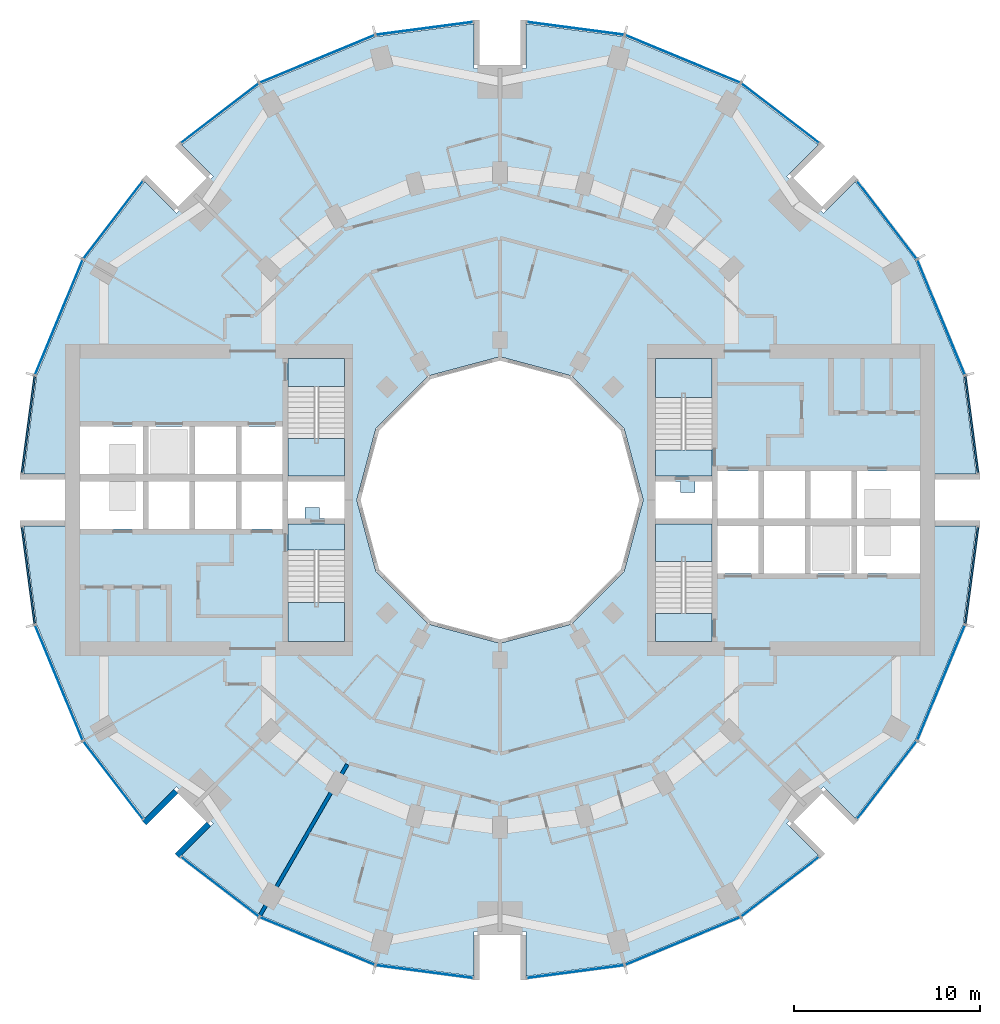
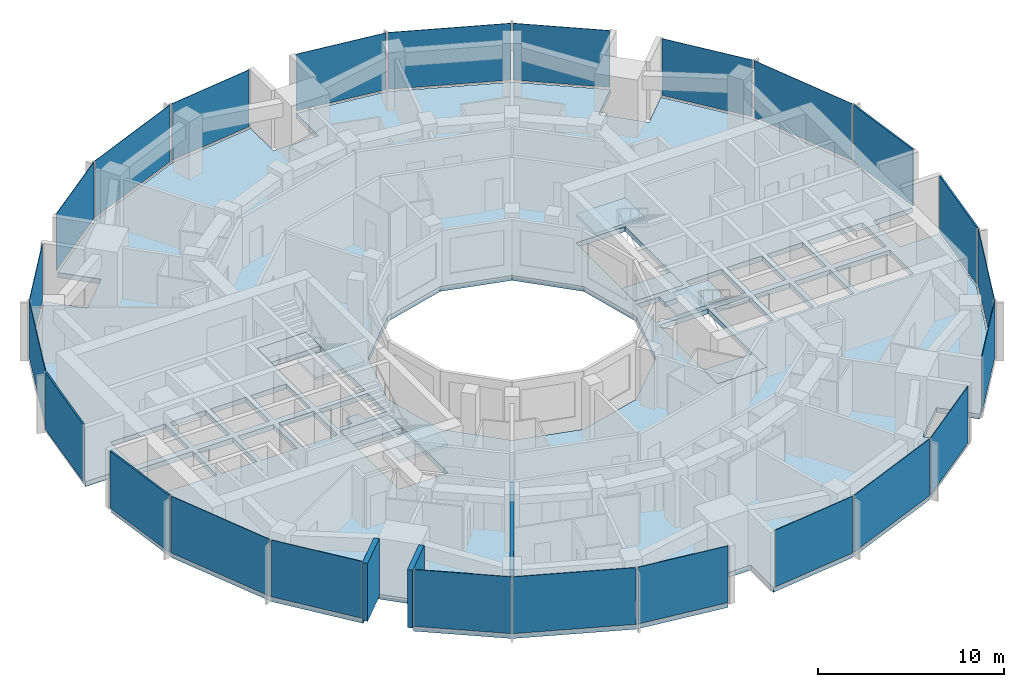
# One storey, part 7 of 15: 24 plates, 9 slabs, 3 walls, 28 elements without a shape of their own.
"""IFC4 building model written with IfcOpenShell, lengths in metres."""

from ifc_helpers import new_model, si_unit, direction, frame, frame_2d, origin, origin_2d, place, context, subcontext, project, spatial, polyline, rectangle, outline, extrude, material, layer, layer_set, type_object, element, aggregate, save


model = new_model("IFC4")

# Units and contexts
model_context = context("Model", 3, precision=1e-05, world=origin(), true_north=direction((0.0, 1.0)))
body_context = subcontext(model_context, "Body", "Model", "MODEL_VIEW")
ifc_project = project(units=[si_unit("LENGTHUNIT", "METRE"), si_unit("AREAUNIT", "SQUARE_METRE"), si_unit("VOLUMEUNIT", "CUBIC_METRE"), si_unit("PLANEANGLEUNIT", "RADIAN"), si_unit("MASSUNIT", "GRAM", prefix="KILO")], contexts=[model_context])

# Site, building, storey
site_placement = place(None, origin())
site = spatial("IfcSite", under=ifc_project, at=site_placement, CompositionType="ELEMENT")
building_placement = place(site_placement, origin())
building = spatial("IfcBuilding", under=site, at=building_placement, Name="Torre Brocal", CompositionType="ELEMENT")
storey_placement = place(building_placement, frame((0.0, 0.0, 55.39990234375)))
storey = spatial("IfcBuildingStorey", under=building, at=storey_placement, Name="L12", CompositionType="ELEMENT", Elevation=55.39990234375)

# Curtain wall, plate
ifc_material_1 = material(Name="Aluminium and glass", Category="aluminium")
ifc_layer_1 = layer(ifc_material_1, 0.199951171875)
ifc_layer_set_1 = layer_set([ifc_layer_1], Name="Aluminium and glass")
curtain_wall_type_1 = type_object("IfcCurtainWallType", Name="CW-1 CURTAIN WALL 3800 HIGH", PredefinedType="NOTDEFINED", material=ifc_layer_set_1)
curtain_wall_1_placement = place(storey_placement, origin())
curtain_wall_1 = element("IfcCurtainWall", 1, at=curtain_wall_1_placement, inside=storey, type_object=curtain_wall_type_1, Name="CW-1 RUN 2", PredefinedType="NOTDEFINED")
ifc_material_2 = material(Name="Glass, dark tinted laminated", Category="glass")
ifc_layer_2 = layer(ifc_material_2, 0.031982421875)
ifc_layer_set_2 = layer_set([ifc_layer_2], Name="Glass, dark tinted laminated")
plate_type_1 = type_object("IfcPlateType", Name="CW-1 GLASS PANEL 32", PredefinedType="CURTAIN_PANEL", material=ifc_layer_set_2)
plate_1_placement = place(storey_placement, frame((103.722900390625, 84.826416015625, 0.080078125), z_axis=(0.0, 0.0, 1.0), x_axis=(-0.382683432333, 0.923879532525, 0.0)))
plate_1 = element("IfcPlate", 2, at=plate_1_placement, type_object=plate_type_1, Name="CW1-1 panel 1.1", PredefinedType="CURTAIN_PANEL", context=body_context, shape_type="SweptSolid", body=[
    extrude(rectangle(XDim=6.64111328125, YDim=0.031982421875, at=origin_2d()), origin(), (0.0, 0.0, 1.0), 3.719970703125),
])
aggregate(curtain_wall_1, [plate_1])

curtain_wall_2_placement = place(storey_placement, origin())
curtain_wall_2 = element("IfcCurtainWall", 3, at=curtain_wall_2_placement, inside=storey, type_object=curtain_wall_type_1, Name="CW-1 RUN 3", PredefinedType="NOTDEFINED")
plate_2_placement = place(storey_placement, frame((100.80126953125, 90.0712890625, 0.080078125), z_axis=(0.0, 0.0, 1.0), x_axis=(-0.60876142905, 0.793353340259, 0.0)))
plate_2 = element("IfcPlate", 4, at=plate_2_placement, type_object=plate_type_1, Name="CW1-1 panel 1.1", PredefinedType="CURTAIN_PANEL", context=body_context, shape_type="SweptSolid", body=[
    extrude(rectangle(XDim=5.22900390625, YDim=0.031982421875, at=origin_2d()), origin(), (0.0, 0.0, 1.0), 3.719970703125),
])
aggregate(curtain_wall_2, [plate_2])

curtain_wall_3_placement = place(storey_placement, origin())
curtain_wall_3 = element("IfcCurtainWall", 5, at=curtain_wall_3_placement, inside=storey, type_object=curtain_wall_type_1, Name="CW-1 RUN 4", PredefinedType="NOTDEFINED")
plate_3_placement = place(storey_placement, frame((95.0712890625, 95.80126953125, 0.080078125), z_axis=(0.0, 0.0, 1.0), x_axis=(-0.793353340259, 0.60876142905, 0.0)))
plate_3 = element("IfcPlate", 6, at=plate_3_placement, type_object=plate_type_1, Name="CW1-1 panel 1.1", PredefinedType="CURTAIN_PANEL", context=body_context, shape_type="SweptSolid", body=[
    extrude(rectangle(XDim=5.22900390625, YDim=0.031982421875, at=origin_2d()), origin(), (0.0, 0.0, 1.0), 3.719970703125),
])
aggregate(curtain_wall_3, [plate_3])

curtain_wall_4_placement = place(storey_placement, origin())
curtain_wall_4 = element("IfcCurtainWall", 7, at=curtain_wall_4_placement, inside=storey, type_object=curtain_wall_type_1, Name="CW-1 RUN 5", PredefinedType="NOTDEFINED")
plate_4_placement = place(storey_placement, frame((89.826416015625, 98.722900390625, 0.080078125), z_axis=(0.0, 0.0, 1.0), x_axis=(-0.923879532525, 0.382683432333, 0.0)))
plate_4 = element("IfcPlate", 8, at=plate_4_placement, type_object=plate_type_1, Name="CW1-1 panel 1.1", PredefinedType="CURTAIN_PANEL", context=body_context, shape_type="SweptSolid", body=[
    extrude(rectangle(XDim=6.64111328125, YDim=0.031982421875, at=origin_2d()), origin(), (0.0, 0.0, 1.0), 3.719970703125),
])
aggregate(curtain_wall_4, [plate_4])

curtain_wall_5_placement = place(storey_placement, origin())
curtain_wall_5 = element("IfcCurtainWall", 9, at=curtain_wall_5_placement, inside=storey, type_object=curtain_wall_type_1, Name="CW-1 RUN 6", PredefinedType="NOTDEFINED")
plate_5_placement = place(storey_placement, frame((84.051513671875, 100.36572265625, 0.080078125), z_axis=(0.0, 0.0, 1.0), x_axis=(-0.991444861374, 0.13052619222, 0.0)))
plate_5 = element("IfcPlate", 10, at=plate_5_placement, type_object=plate_type_1, Name="CW1-1 panel 1.1", PredefinedType="CURTAIN_PANEL", context=body_context, shape_type="SweptSolid", body=[
    extrude(rectangle(XDim=5.22900390625, YDim=0.031982421875, at=origin_2d()), origin(), (0.0, 0.0, 1.0), 3.719970703125),
])
aggregate(curtain_wall_5, [plate_5])

curtain_wall_6_placement = place(storey_placement, origin())
curtain_wall_6 = element("IfcCurtainWall", 11, at=curtain_wall_6_placement, inside=storey, type_object=curtain_wall_type_1, Name="CW-1 RUN 7", PredefinedType="NOTDEFINED")
plate_6_placement = place(storey_placement, frame((75.948486328125, 100.36572265625, 0.080078125), z_axis=(0.0, 0.0, 1.0), x_axis=(-0.991444861374, -0.13052619222, 0.0)))
plate_6 = element("IfcPlate", 12, at=plate_6_placement, type_object=plate_type_1, Name="CW1-1 panel 1.1", PredefinedType="CURTAIN_PANEL", context=body_context, shape_type="SweptSolid", body=[
    extrude(rectangle(XDim=5.22900390625, YDim=0.031982421875, at=origin_2d()), origin(), (0.0, 0.0, 1.0), 3.719970703125),
])
aggregate(curtain_wall_6, [plate_6])

curtain_wall_7_placement = place(storey_placement, origin())
curtain_wall_7 = element("IfcCurtainWall", 13, at=curtain_wall_7_placement, inside=storey, type_object=curtain_wall_type_1, Name="CW-1 RUN 8", PredefinedType="NOTDEFINED")
plate_7_placement = place(storey_placement, frame((70.173583984375, 98.722900390625, 0.080078125), z_axis=(0.0, 0.0, 1.0), x_axis=(-0.923879532525, -0.382683432333, 0.0)))
plate_7 = element("IfcPlate", 14, at=plate_7_placement, type_object=plate_type_1, Name="CW1-1 panel 1.1", PredefinedType="CURTAIN_PANEL", context=body_context, shape_type="SweptSolid", body=[
    extrude(rectangle(XDim=6.64111328125, YDim=0.031982421875, at=origin_2d()), origin(), (0.0, 0.0, 1.0), 3.719970703125),
])
aggregate(curtain_wall_7, [plate_7])

curtain_wall_8_placement = place(storey_placement, origin())
curtain_wall_8 = element("IfcCurtainWall", 15, at=curtain_wall_8_placement, inside=storey, type_object=curtain_wall_type_1, Name="CW-1 RUN 9", PredefinedType="NOTDEFINED")
plate_8_placement = place(storey_placement, frame((64.9287109375, 95.80126953125, 0.080078125), z_axis=(0.0, 0.0, 1.0), x_axis=(-0.793353340259, -0.60876142905, 0.0)))
plate_8 = element("IfcPlate", 16, at=plate_8_placement, type_object=plate_type_1, Name="CW1-1 panel 1.1", PredefinedType="CURTAIN_PANEL", context=body_context, shape_type="SweptSolid", body=[
    extrude(rectangle(XDim=5.22900390625, YDim=0.031982421875, at=origin_2d()), origin(), (0.0, 0.0, 1.0), 3.719970703125),
])
aggregate(curtain_wall_8, [plate_8])

curtain_wall_9_placement = place(storey_placement, origin())
curtain_wall_9 = element("IfcCurtainWall", 17, at=curtain_wall_9_placement, inside=storey, type_object=curtain_wall_type_1, Name="CW-1 RUN 10", PredefinedType="NOTDEFINED")
plate_9_placement = place(storey_placement, frame((59.19873046875, 90.0712890625, 0.080078125), z_axis=(0.0, 0.0, 1.0), x_axis=(-0.60876142905, -0.793353340259, 0.0)))
plate_9 = element("IfcPlate", 18, at=plate_9_placement, type_object=plate_type_1, Name="CW1-1 panel 1.1", PredefinedType="CURTAIN_PANEL", context=body_context, shape_type="SweptSolid", body=[
    extrude(rectangle(XDim=5.22900390625, YDim=0.031982421875, at=origin_2d()), origin(), (0.0, 0.0, 1.0), 3.719970703125),
])
aggregate(curtain_wall_9, [plate_9])

curtain_wall_10_placement = place(storey_placement, origin())
curtain_wall_10 = element("IfcCurtainWall", 19, at=curtain_wall_10_placement, inside=storey, type_object=curtain_wall_type_1, Name="CW-1 RUN 11", PredefinedType="NOTDEFINED")
plate_10_placement = place(storey_placement, frame((56.277099609375, 84.826416015625, 0.080078125), z_axis=(0.0, 0.0, 1.0), x_axis=(-0.382683432333, -0.923879532525, 0.0)))
plate_10 = element("IfcPlate", 20, at=plate_10_placement, type_object=plate_type_1, Name="CW1-1 panel 1.1", PredefinedType="CURTAIN_PANEL", context=body_context, shape_type="SweptSolid", body=[
    extrude(rectangle(XDim=6.64111328125, YDim=0.031982421875, at=origin_2d()), origin(), (0.0, 0.0, 1.0), 3.719970703125),
])
aggregate(curtain_wall_10, [plate_10])

curtain_wall_11_placement = place(storey_placement, origin())
curtain_wall_11 = element("IfcCurtainWall", 21, at=curtain_wall_11_placement, inside=storey, type_object=curtain_wall_type_1, Name="CW-1 RUN 14", PredefinedType="NOTDEFINED")
plate_11_placement = place(storey_placement, frame((56.277099609375, 65.173583984375, 0.080078125), z_axis=(0.0, 0.0, 1.0), x_axis=(0.382683432333, -0.923879532525, 0.0)))
plate_11 = element("IfcPlate", 22, at=plate_11_placement, type_object=plate_type_1, Name="CW1-1 panel 1.1", PredefinedType="CURTAIN_PANEL", context=body_context, shape_type="SweptSolid", body=[
    extrude(rectangle(XDim=6.64111328125, YDim=0.031982421875, at=origin_2d()), origin(), (0.0, 0.0, 1.0), 3.719970703125),
])
aggregate(curtain_wall_11, [plate_11])

curtain_wall_12_placement = place(storey_placement, origin())
curtain_wall_12 = element("IfcCurtainWall", 23, at=curtain_wall_12_placement, inside=storey, type_object=curtain_wall_type_1, Name="CW-1 RUN 15", PredefinedType="NOTDEFINED")
plate_12_placement = place(storey_placement, frame((59.19873046875, 59.9287109375, 0.080078125), z_axis=(0.0, 0.0, 1.0), x_axis=(0.60876142905, -0.793353340259, 0.0)))
plate_12 = element("IfcPlate", 24, at=plate_12_placement, type_object=plate_type_1, Name="CW1-1 panel 1.1", PredefinedType="CURTAIN_PANEL", context=body_context, shape_type="SweptSolid", body=[
    extrude(rectangle(XDim=5.22900390625, YDim=0.031982421875, at=origin_2d()), origin(), (0.0, 0.0, 1.0), 3.719970703125),
])
aggregate(curtain_wall_12, [plate_12])

curtain_wall_13_placement = place(storey_placement, origin())
curtain_wall_13 = element("IfcCurtainWall", 25, at=curtain_wall_13_placement, inside=storey, type_object=curtain_wall_type_1, Name="CW-1 RUN 16", PredefinedType="NOTDEFINED")
plate_13_placement = place(storey_placement, frame((64.9287109375, 54.19873046875, 0.080078125), z_axis=(0.0, 0.0, 1.0), x_axis=(0.793353340259, -0.60876142905, 0.0)))
plate_13 = element("IfcPlate", 26, at=plate_13_placement, type_object=plate_type_1, Name="CW1-1 panel 1.1", PredefinedType="CURTAIN_PANEL", context=body_context, shape_type="SweptSolid", body=[
    extrude(rectangle(XDim=5.22900390625, YDim=0.031982421875, at=origin_2d()), origin(), (0.0, 0.0, 1.0), 3.719970703125),
])
aggregate(curtain_wall_13, [plate_13])

curtain_wall_14_placement = place(storey_placement, origin())
curtain_wall_14 = element("IfcCurtainWall", 27, at=curtain_wall_14_placement, inside=storey, type_object=curtain_wall_type_1, Name="CW-1 RUN 17", PredefinedType="NOTDEFINED")
plate_14_placement = place(storey_placement, frame((70.173583984375, 51.277099609375, 0.080078125), z_axis=(0.0, 0.0, 1.0), x_axis=(0.923879532525, -0.382683432333, 0.0)))
plate_14 = element("IfcPlate", 28, at=plate_14_placement, type_object=plate_type_1, Name="CW1-1 panel 1.1", PredefinedType="CURTAIN_PANEL", context=body_context, shape_type="SweptSolid", body=[
    extrude(rectangle(XDim=6.64111328125, YDim=0.031982421875, at=origin_2d()), origin(), (0.0, 0.0, 1.0), 3.719970703125),
])
aggregate(curtain_wall_14, [plate_14])

curtain_wall_15_placement = place(storey_placement, origin())
curtain_wall_15 = element("IfcCurtainWall", 29, at=curtain_wall_15_placement, inside=storey, type_object=curtain_wall_type_1, Name="CW-1 RUN 18", PredefinedType="NOTDEFINED")
plate_15_placement = place(storey_placement, frame((75.948486328125, 49.63427734375, 0.080078125), z_axis=(0.0, 0.0, 1.0), x_axis=(0.991444861374, -0.13052619222, 0.0)))
plate_15 = element("IfcPlate", 30, at=plate_15_placement, type_object=plate_type_1, Name="CW1-1 panel 1.1", PredefinedType="CURTAIN_PANEL", context=body_context, shape_type="SweptSolid", body=[
    extrude(rectangle(XDim=5.22900390625, YDim=0.031982421875, at=origin_2d()), origin(), (0.0, 0.0, 1.0), 3.719970703125),
])
aggregate(curtain_wall_15, [plate_15])

curtain_wall_16_placement = place(storey_placement, origin())
curtain_wall_16 = element("IfcCurtainWall", 31, at=curtain_wall_16_placement, inside=storey, type_object=curtain_wall_type_1, Name="CW-1 RUN 19", PredefinedType="NOTDEFINED")
plate_16_placement = place(storey_placement, frame((84.051513671875, 49.63427734375, 0.080078125), z_axis=(0.0, 0.0, 1.0), x_axis=(0.991444861374, 0.13052619222, 0.0)))
plate_16 = element("IfcPlate", 32, at=plate_16_placement, type_object=plate_type_1, Name="CW1-1 panel 1.1", PredefinedType="CURTAIN_PANEL", context=body_context, shape_type="SweptSolid", body=[
    extrude(rectangle(XDim=5.22900390625, YDim=0.031982421875, at=origin_2d()), origin(), (0.0, 0.0, 1.0), 3.719970703125),
])
aggregate(curtain_wall_16, [plate_16])

curtain_wall_17_placement = place(storey_placement, origin())
curtain_wall_17 = element("IfcCurtainWall", 33, at=curtain_wall_17_placement, inside=storey, type_object=curtain_wall_type_1, Name="CW-1 RUN 20", PredefinedType="NOTDEFINED")
plate_17_placement = place(storey_placement, frame((89.826416015625, 51.277099609375, 0.080078125), z_axis=(0.0, 0.0, 1.0), x_axis=(0.923879532525, 0.382683432333, 0.0)))
plate_17 = element("IfcPlate", 34, at=plate_17_placement, type_object=plate_type_1, Name="CW1-1 panel 1.1", PredefinedType="CURTAIN_PANEL", context=body_context, shape_type="SweptSolid", body=[
    extrude(rectangle(XDim=6.64111328125, YDim=0.031982421875, at=origin_2d()), origin(), (0.0, 0.0, 1.0), 3.719970703125),
])
aggregate(curtain_wall_17, [plate_17])

curtain_wall_18_placement = place(storey_placement, origin())
curtain_wall_18 = element("IfcCurtainWall", 35, at=curtain_wall_18_placement, inside=storey, type_object=curtain_wall_type_1, Name="CW-1 RUN 21", PredefinedType="NOTDEFINED")
plate_18_placement = place(storey_placement, frame((95.0712890625, 54.19873046875, 0.080078125), z_axis=(0.0, 0.0, 1.0), x_axis=(0.793353340259, 0.60876142905, 0.0)))
plate_18 = element("IfcPlate", 36, at=plate_18_placement, type_object=plate_type_1, Name="CW1-1 panel 1.1", PredefinedType="CURTAIN_PANEL", context=body_context, shape_type="SweptSolid", body=[
    extrude(rectangle(XDim=5.22900390625, YDim=0.031982421875, at=origin_2d()), origin(), (0.0, 0.0, 1.0), 3.719970703125),
])
aggregate(curtain_wall_18, [plate_18])

curtain_wall_19_placement = place(storey_placement, origin())
curtain_wall_19 = element("IfcCurtainWall", 37, at=curtain_wall_19_placement, inside=storey, type_object=curtain_wall_type_1, Name="CW-1 RUN 22", PredefinedType="NOTDEFINED")
plate_19_placement = place(storey_placement, frame((100.80126953125, 59.9287109375, 0.080078125), z_axis=(0.0, 0.0, 1.0), x_axis=(0.60876142905, 0.793353340259, 0.0)))
plate_19 = element("IfcPlate", 38, at=plate_19_placement, type_object=plate_type_1, Name="CW1-1 panel 1.1", PredefinedType="CURTAIN_PANEL", context=body_context, shape_type="SweptSolid", body=[
    extrude(rectangle(XDim=5.22900390625, YDim=0.031982421875, at=origin_2d()), origin(), (0.0, 0.0, 1.0), 3.719970703125),
])
aggregate(curtain_wall_19, [plate_19])

curtain_wall_20_placement = place(storey_placement, origin())
curtain_wall_20 = element("IfcCurtainWall", 39, at=curtain_wall_20_placement, inside=storey, type_object=curtain_wall_type_1, Name="CW-1 RUN 23", PredefinedType="NOTDEFINED")
plate_20_placement = place(storey_placement, frame((103.722900390625, 65.173583984375, 0.080078125), z_axis=(0.0, 0.0, 1.0), x_axis=(0.382683432333, 0.923879532525, 0.0)))
plate_20 = element("IfcPlate", 40, at=plate_20_placement, type_object=plate_type_1, Name="CW1-1 panel 1.1", PredefinedType="CURTAIN_PANEL", context=body_context, shape_type="SweptSolid", body=[
    extrude(rectangle(XDim=6.64111328125, YDim=0.031982421875, at=origin_2d()), origin(), (0.0, 0.0, 1.0), 3.719970703125),
])
aggregate(curtain_wall_20, [plate_20])

ifc_material_3 = material(Name="Aluminium and glass", Category="aluminium")
ifc_layer_3 = layer(ifc_material_3, 0.199951171875)
ifc_layer_set_3 = layer_set([ifc_layer_3], Name="Aluminium and glass")
curtain_wall_type_2 = type_object("IfcCurtainWallType", Name="CW-1B CURTAIN WALL 3800 HIGH", PredefinedType="NOTDEFINED", material=ifc_layer_set_3)
curtain_wall_21_placement = place(storey_placement, origin())
curtain_wall_21 = element("IfcCurtainWall", 41, at=curtain_wall_21_placement, inside=storey, type_object=curtain_wall_type_2, Name="CW-1B RUN 1", PredefinedType="NOTDEFINED")
ifc_material_4 = material(Name="Aluminium composite panel", Category="aluminium")
ifc_layer_4 = layer(ifc_material_4, 0.10009765625)
ifc_layer_set_4 = layer_set([ifc_layer_4], Name="Aluminium composite panel")
plate_type_2 = type_object("IfcPlateType", Name="CW-1B OPAQUE PANEL 100", PredefinedType="CURTAIN_PANEL", material=ifc_layer_set_4)
plate_21_placement = place(storey_placement, frame((105.36572265625, 79.051513671875, 0.080078125), z_axis=(0.0, 0.0, 1.0), x_axis=(-0.13052619222, 0.991444861374, 0.0)))
plate_21 = element("IfcPlate", 42, at=plate_21_placement, type_object=plate_type_2, Name="CW1B-1 panel 1.1", PredefinedType="CURTAIN_PANEL", context=body_context, shape_type="SweptSolid", body=[
    extrude(rectangle(XDim=5.22900390625, YDim=0.10009765625, at=origin_2d()), origin(), (0.0, 0.0, 1.0), 3.719970703125),
])
aggregate(curtain_wall_21, [plate_21])

curtain_wall_22_placement = place(storey_placement, origin())
curtain_wall_22 = element("IfcCurtainWall", 43, at=curtain_wall_22_placement, inside=storey, type_object=curtain_wall_type_2, Name="CW-1B RUN 12", PredefinedType="NOTDEFINED")
plate_22_placement = place(storey_placement, frame((54.63427734375, 79.051513671875, 0.080078125), z_axis=(0.0, 0.0, 1.0), x_axis=(-0.13052619222, -0.991444861374, 0.0)))
plate_22 = element("IfcPlate", 44, at=plate_22_placement, type_object=plate_type_2, Name="CW1B-1 panel 1.1", PredefinedType="CURTAIN_PANEL", context=body_context, shape_type="SweptSolid", body=[
    extrude(rectangle(XDim=5.22900390625, YDim=0.10009765625, at=origin_2d()), origin(), (0.0, 0.0, 1.0), 3.719970703125),
])
aggregate(curtain_wall_22, [plate_22])

curtain_wall_23_placement = place(storey_placement, origin())
curtain_wall_23 = element("IfcCurtainWall", 45, at=curtain_wall_23_placement, inside=storey, type_object=curtain_wall_type_2, Name="CW-1B RUN 13", PredefinedType="NOTDEFINED")
plate_23_placement = place(storey_placement, frame((54.63427734375, 70.948486328125, 0.080078125), z_axis=(0.0, 0.0, 1.0), x_axis=(0.13052619222, -0.991444861374, 0.0)))
plate_23 = element("IfcPlate", 46, at=plate_23_placement, type_object=plate_type_2, Name="CW1B-1 panel 1.1", PredefinedType="CURTAIN_PANEL", context=body_context, shape_type="SweptSolid", body=[
    extrude(rectangle(XDim=5.22900390625, YDim=0.10009765625, at=origin_2d()), origin(), (0.0, 0.0, 1.0), 3.719970703125),
])
aggregate(curtain_wall_23, [plate_23])

curtain_wall_24_placement = place(storey_placement, origin())
curtain_wall_24 = element("IfcCurtainWall", 47, at=curtain_wall_24_placement, inside=storey, type_object=curtain_wall_type_2, Name="CW-1B RUN 24", PredefinedType="NOTDEFINED")
plate_24_placement = place(storey_placement, frame((105.36572265625, 70.948486328125, 0.080078125), z_axis=(0.0, 0.0, 1.0), x_axis=(0.13052619222, 0.991444861374, 0.0)))
plate_24 = element("IfcPlate", 48, at=plate_24_placement, type_object=plate_type_2, Name="CW1B-1 panel 1.1", PredefinedType="CURTAIN_PANEL", context=body_context, shape_type="SweptSolid", body=[
    extrude(rectangle(XDim=5.22900390625, YDim=0.10009765625, at=origin_2d()), origin(), (0.0, 0.0, 1.0), 3.719970703125),
])
aggregate(curtain_wall_24, [plate_24])

# Stair, slab
ifc_material_5 = material(Name="Concrete C50", Category="concrete")
stair_type = type_object("IfcStairType", Name="EXIT STAIR", PredefinedType="HALF_TURN_STAIR", material=ifc_material_5)
stair_1_placement = place(storey_placement, origin())
stair_1 = element("IfcStair", 49, at=stair_1_placement, inside=storey, type_object=stair_type, Name="EXIT STAIR ST1", PredefinedType="HALF_TURN_STAIR")
ifc_material_6 = material(Name="Concrete C50", Category="concrete")
ifc_layer_5 = layer(ifc_material_6, 0.320068359375)
ifc_layer_set_5 = layer_set([ifc_layer_5], Name="Concrete C50")
slab_type_1 = type_object("IfcSlabType", Name="FLOOR LANDING 320", PredefinedType="LANDING", material=ifc_layer_set_5)
slab_1_placement = place(storey_placement, frame((0.0, 0.0, -0.31982421875)))
slab_1 = element("IfcSlab", 50, at=slab_1_placement, type_object=slab_type_1, Name="ST1 landing 1", PredefinedType="LANDING", context=body_context, shape_type="SweptSolid", body=[
    extrude(outline(polyline([(88.35009765625, 76.300048828125), (91.39990234375, 76.300048828125), (91.39990234375, 77.699951171875), (88.35009765625, 77.699951171875), (88.35009765625, 76.300048828125)])), origin(), (0.0, 0.0, 1.0), 0.31982421875),
])

stair_2_placement = place(storey_placement, origin())
stair_2 = element("IfcStair", 51, at=stair_2_placement, inside=storey, type_object=stair_type, Name="EXIT STAIR ST2", PredefinedType="HALF_TURN_STAIR")
slab_2_placement = place(storey_placement, frame((0.0, 0.0, -0.31982421875)))
slab_2 = element("IfcSlab", 52, at=slab_2_placement, type_object=slab_type_1, Name="ST2 landing 1", PredefinedType="LANDING", context=body_context, shape_type="SweptSolid", body=[
    extrude(outline(polyline([(88.35009765625, 67.39990234375), (91.39990234375, 67.39990234375), (91.39990234375, 68.89990234375), (88.35009765625, 68.89990234375), (88.35009765625, 67.39990234375)])), origin(), (0.0, 0.0, 1.0), 0.31982421875),
])

stair_3_placement = place(storey_placement, origin())
stair_3 = element("IfcStair", 53, at=stair_3_placement, inside=storey, type_object=stair_type, Name="EXIT STAIR ST3", PredefinedType="HALF_TURN_STAIR")
slab_3_placement = place(storey_placement, frame((0.0, 0.0, -0.31982421875)))
slab_3 = element("IfcSlab", 54, at=slab_3_placement, type_object=slab_type_1, Name="ST3 landing 1", PredefinedType="LANDING", context=body_context, shape_type="SweptSolid", body=[
    extrude(outline(polyline([(71.64990234375, 73.699951171875), (68.60009765625, 73.699951171875), (68.60009765625, 72.300048828125), (71.64990234375, 72.300048828125), (71.64990234375, 73.699951171875)])), origin(), (0.0, 0.0, 1.0), 0.31982421875),
])

stair_4_placement = place(storey_placement, origin())
stair_4 = element("IfcStair", 55, at=stair_4_placement, inside=storey, type_object=stair_type, Name="EXIT STAIR ST4", PredefinedType="HALF_TURN_STAIR")
slab_4_placement = place(storey_placement, frame((0.0, 0.0, -0.31982421875)))
slab_4 = element("IfcSlab", 56, at=slab_4_placement, type_object=slab_type_1, Name="ST4 landing 1", PredefinedType="LANDING", context=body_context, shape_type="SweptSolid", body=[
    extrude(outline(polyline([(71.64990234375, 82.60009765625), (68.60009765625, 82.60009765625), (68.60009765625, 81.10009765625), (71.64990234375, 81.10009765625), (71.64990234375, 82.60009765625)])), origin(), (0.0, 0.0, 1.0), 0.31982421875),
])

# Slab
ifc_material_7 = material(Name="Concrete C50", Category="concrete")
ifc_layer_6 = layer(ifc_material_7, 0.199951171875)
ifc_layer_set_6 = layer_set([ifc_layer_6], Name="Concrete C50")
slab_type_2 = type_object("IfcSlabType", Name="MID LANDING +1900", PredefinedType="LANDING", material=ifc_layer_set_6)
slab_5_placement = place(storey_placement, frame((0.0, 0.0, 1.7001953125)))
slab_5 = element("IfcSlab", 57, at=slab_5_placement, type_object=slab_type_2, Name="ST1 landing 2", PredefinedType="LANDING", context=body_context, shape_type="SweptSolid", body=[
    extrude(outline(polyline([(88.35009765625, 80.5), (91.39990234375, 80.5), (91.39990234375, 82.60009765625), (88.35009765625, 82.60009765625), (88.35009765625, 80.5)])), origin(), (0.0, 0.0, 1.0), 0.199951171875),
])

aggregate(stair_1, [slab_1, slab_5])

slab_6_placement = place(storey_placement, frame((0.0, 0.0, 1.7001953125)))
slab_6 = element("IfcSlab", 58, at=slab_6_placement, type_object=slab_type_2, Name="ST2 landing 2", PredefinedType="LANDING", context=body_context, shape_type="SweptSolid", body=[
    extrude(outline(polyline([(88.35009765625, 71.699951171875), (91.39990234375, 71.699951171875), (91.39990234375, 73.699951171875), (88.35009765625, 73.699951171875), (88.35009765625, 71.699951171875)])), origin(), (0.0, 0.0, 1.0), 0.199951171875),
])

aggregate(stair_2, [slab_2, slab_6])

slab_7_placement = place(storey_placement, frame((0.0, 0.0, 1.7001953125)))
slab_7 = element("IfcSlab", 59, at=slab_7_placement, type_object=slab_type_2, Name="ST3 landing 2", PredefinedType="LANDING", context=body_context, shape_type="SweptSolid", body=[
    extrude(outline(polyline([(71.64990234375, 69.5), (68.60009765625, 69.5), (68.60009765625, 67.39990234375), (71.64990234375, 67.39990234375), (71.64990234375, 69.5)])), origin(), (0.0, 0.0, 1.0), 0.199951171875),
])

aggregate(stair_3, [slab_3, slab_7])

slab_8_placement = place(storey_placement, frame((0.0, 0.0, 1.7001953125)))
slab_8 = element("IfcSlab", 60, at=slab_8_placement, type_object=slab_type_2, Name="ST4 landing 2", PredefinedType="LANDING", context=body_context, shape_type="SweptSolid", body=[
    extrude(outline(polyline([(71.64990234375, 78.300048828125), (68.60009765625, 78.300048828125), (68.60009765625, 76.300048828125), (71.64990234375, 76.300048828125), (71.64990234375, 78.300048828125)])), origin(), (0.0, 0.0, 1.0), 0.199951171875),
])

aggregate(stair_4, [slab_4, slab_8])

ifc_material_8 = material(Name="Concrete C45", Category="concrete")
ifc_layer_7 = layer(ifc_material_8, 0.320068359375)
ifc_layer_set_7 = layer_set([ifc_layer_7], Name="Concrete C45")
slab_type_3 = type_object("IfcSlabType", Name="PT FLOOR SLAB 320 C45", PredefinedType="FLOOR", material=ifc_layer_set_7)
slab_9_placement = place(storey_placement, frame((0.0, 0.0, -0.31982421875)))
element("IfcSlab", 61, at=slab_9_placement, inside=storey, type_object=slab_type_3, Name="Slab ST-05", PredefinedType="FLOOR", context=body_context, shape_type="SweptSolid", body=[
    extrude(outline(polyline([(103.199951171875, 76.39990234375), (103.199951171875, 73.60009765625), (105.614013671875, 73.60009765625), (104.919189453125, 68.322998046875), (102.342041015625, 62.100830078125), (99.101806640625, 57.878173828125), (97.394775390625, 59.5849609375), (95.4150390625, 57.605224609375), (97.121826171875, 55.898193359375), (92.899169921875, 52.657958984375), (86.677001953125, 50.080810546875), (81.39990234375, 49.385986328125), (81.39990234375, 51.800048828125), (78.60009765625, 51.800048828125), (78.60009765625, 49.385986328125), (73.322998046875, 50.080810546875), (67.100830078125, 52.657958984375), (62.878173828125, 55.898193359375), (64.5849609375, 57.605224609375), (62.605224609375, 59.5849609375), (60.898193359375, 57.878173828125), (57.657958984375, 62.100830078125), (55.080810546875, 68.322998046875), (54.385986328125, 73.60009765625), (56.800048828125, 73.60009765625), (56.800048828125, 76.39990234375), (54.385986328125, 76.39990234375), (55.080810546875, 81.677001953125), (57.657958984375, 87.899169921875), (60.898193359375, 92.121826171875), (62.605224609375, 90.4150390625), (64.5849609375, 92.394775390625), (62.878173828125, 94.101806640625), (67.100830078125, 97.342041015625), (73.322998046875, 99.919189453125), (78.60009765625, 100.614013671875), (78.60009765625, 98.199951171875), (81.39990234375, 98.199951171875), (81.39990234375, 100.614013671875), (86.677001953125, 99.919189453125), (92.899169921875, 97.342041015625), (97.121826171875, 94.101806640625), (95.4150390625, 92.394775390625), (97.394775390625, 90.4150390625), (99.101806640625, 92.121826171875), (102.342041015625, 87.899169921875), (104.919189453125, 81.677001953125), (105.614013671875, 76.39990234375), (103.199951171875, 76.39990234375)]), holes=[polyline([(102.60009765625, 74.0), (102.60009765625, 76.550048828125), (99.199951171875, 76.550048828125), (99.199951171875, 74.0), (102.60009765625, 74.0)]), polyline([(102.60009765625, 71.050048828125), (102.60009765625, 73.60009765625), (99.199951171875, 73.60009765625), (99.199951171875, 71.050048828125), (102.60009765625, 71.050048828125)]), polyline([(98.89990234375, 76.550048828125), (96.699951171875, 76.550048828125), (96.699951171875, 74.0), (98.89990234375, 74.0), (98.89990234375, 76.550048828125)]), polyline([(98.89990234375, 71.050048828125), (98.89990234375, 73.60009765625), (96.699951171875, 73.60009765625), (96.699951171875, 71.050048828125), (98.89990234375, 71.050048828125)]), polyline([(96.39990234375, 73.60009765625), (94.199951171875, 73.60009765625), (94.199951171875, 71.050048828125), (96.39990234375, 71.050048828125), (96.39990234375, 73.60009765625)]), polyline([(96.39990234375, 74.0), (96.39990234375, 76.550048828125), (94.199951171875, 76.550048828125), (94.199951171875, 74.0), (96.39990234375, 74.0)]), polyline([(93.89990234375, 73.60009765625), (91.699951171875, 73.60009765625), (91.699951171875, 71.050048828125), (93.89990234375, 71.050048828125), (93.89990234375, 73.60009765625)]), polyline([(93.89990234375, 74.0), (93.89990234375, 76.550048828125), (91.699951171875, 76.550048828125), (91.699951171875, 74.0), (93.89990234375, 74.0)]), polyline([(91.39990234375, 76.300048828125), (91.39990234375, 82.60009765625), (88.35009765625, 82.60009765625), (88.35009765625, 76.300048828125), (91.39990234375, 76.300048828125)]), polyline([(91.39990234375, 73.699951171875), (88.35009765625, 73.699951171875), (88.35009765625, 67.39990234375), (91.39990234375, 67.39990234375), (91.39990234375, 73.699951171875)]), polyline([(89.699951171875, 76.0), (88.35009765625, 76.0), (88.35009765625, 74.0), (91.39990234375, 74.0), (91.39990234375, 76.0), (90.5, 76.0), (90.5, 75.39990234375), (89.699951171875, 75.39990234375), (89.699951171875, 76.0)]), polyline([(80.0, 82.70703125), (76.146484375, 81.674560546875), (73.325439453125, 78.853515625), (72.29296875, 75.0), (73.325439453125, 71.146484375), (76.146484375, 68.325439453125), (80.0, 67.29296875), (83.853515625, 68.325439453125), (86.674560546875, 71.146484375), (87.70703125, 75.0), (86.674560546875, 78.853515625), (83.853515625, 81.674560546875), (80.0, 82.70703125)]), polyline([(68.60009765625, 82.60009765625), (68.60009765625, 76.300048828125), (71.64990234375, 76.300048828125), (71.64990234375, 82.60009765625), (68.60009765625, 82.60009765625)]), polyline([(70.300048828125, 74.0), (71.64990234375, 74.0), (71.64990234375, 76.0), (68.60009765625, 76.0), (68.60009765625, 74.0), (69.5, 74.0), (69.5, 74.60009765625), (70.300048828125, 74.60009765625), (70.300048828125, 74.0)]), polyline([(68.60009765625, 67.39990234375), (71.64990234375, 67.39990234375), (71.64990234375, 73.699951171875), (68.60009765625, 73.699951171875), (68.60009765625, 67.39990234375)]), polyline([(66.10009765625, 78.949951171875), (66.10009765625, 76.39990234375), (68.300048828125, 76.39990234375), (68.300048828125, 78.949951171875), (66.10009765625, 78.949951171875)]), polyline([(66.10009765625, 76.0), (66.10009765625, 73.449951171875), (68.300048828125, 73.449951171875), (68.300048828125, 76.0), (66.10009765625, 76.0)]), polyline([(63.60009765625, 76.0), (63.60009765625, 73.449951171875), (65.800048828125, 73.449951171875), (65.800048828125, 76.0), (63.60009765625, 76.0)]), polyline([(63.60009765625, 76.39990234375), (65.800048828125, 76.39990234375), (65.800048828125, 78.949951171875), (63.60009765625, 78.949951171875), (63.60009765625, 76.39990234375)]), polyline([(61.10009765625, 78.949951171875), (61.10009765625, 76.39990234375), (63.300048828125, 76.39990234375), (63.300048828125, 78.949951171875), (61.10009765625, 78.949951171875)]), polyline([(61.10009765625, 73.449951171875), (63.300048828125, 73.449951171875), (63.300048828125, 76.0), (61.10009765625, 76.0), (61.10009765625, 73.449951171875)]), polyline([(57.39990234375, 73.449951171875), (60.800048828125, 73.449951171875), (60.800048828125, 76.0), (57.39990234375, 76.0), (57.39990234375, 73.449951171875)]), polyline([(57.39990234375, 78.949951171875), (57.39990234375, 76.39990234375), (60.800048828125, 76.39990234375), (60.800048828125, 78.949951171875), (57.39990234375, 78.949951171875)])]), origin(), (0.0, 0.0, 1.0), 0.31982421875),
])

# Walls
ifc_material_9 = material(Name="Concrete C80", Category="concrete")
ifc_layer_8 = layer(ifc_material_9, 0.300048828125)
ifc_layer_set_8 = layer_set([ifc_layer_8], Name="Concrete C80")
wall_type_1 = type_object("IfcWallType", Name="NOTCH RETURN WALL 300 C80", PredefinedType="NOTDEFINED", material=ifc_layer_set_8)
for number, where, z_axis, x_axis, name in (
    (62, (62.56982421875, 59.337646484375, 0.0), (0.0, 0.0, 1.0), (-0.707106781187, -0.707106781187, 0.0), "NOTCH RETURN WALL"),
    (63, (64.337646484375, 57.56982421875, 0.0), (0.0, 0.0, 1.0), (-0.707106781187, -0.707106781187, 0.0), "NOTCH RETURN WALL"),
):
    element("IfcWall", number, at=place(storey_placement, frame(where, z_axis=z_axis, x_axis=x_axis)), inside=storey, type_object=wall_type_1, Name=name, PredefinedType="NOTDEFINED", context=body_context, shape_type="SweptSolid", body=[
        extrude(rectangle(XDim=2.415771484375, YDim=0.300048828125, at=frame_2d((1.2080078125, 0.0))), origin(), (0.0, 0.0, 1.0), 3.800048828125),
    ])
ifc_material_10 = material(Name="Gypsum board", Category="Gypsum")
ifc_layer_9 = layer(ifc_material_10, 0.199951171875)
ifc_layer_set_9 = layer_set([ifc_layer_9], Name="Gypsum board")
wall_type_2 = type_object("IfcWallType", Name="PARTITION 200 EI60", PredefinedType="PARTITIONING", material=ifc_layer_set_9)
wall_placement = place(storey_placement, frame((67.09521484375, 52.662109375, 0.0), z_axis=(0.0, 0.0, 1.0), x_axis=(0.500247659952, 0.865882370021, 0.0)))
element("IfcWall", 64, at=wall_placement, inside=storey, type_object=wall_type_2, Name="PARTY PARTITION", PredefinedType="PARTITIONING", context=body_context, shape_type="SweptSolid", body=[
    extrude(rectangle(XDim=9.374755859375, YDim=0.199951171875, at=frame_2d((4.6875, 0.0))), origin(), (0.0, 0.0, 1.0), 3.35009765625),
])

save(model, "model.ifc")
